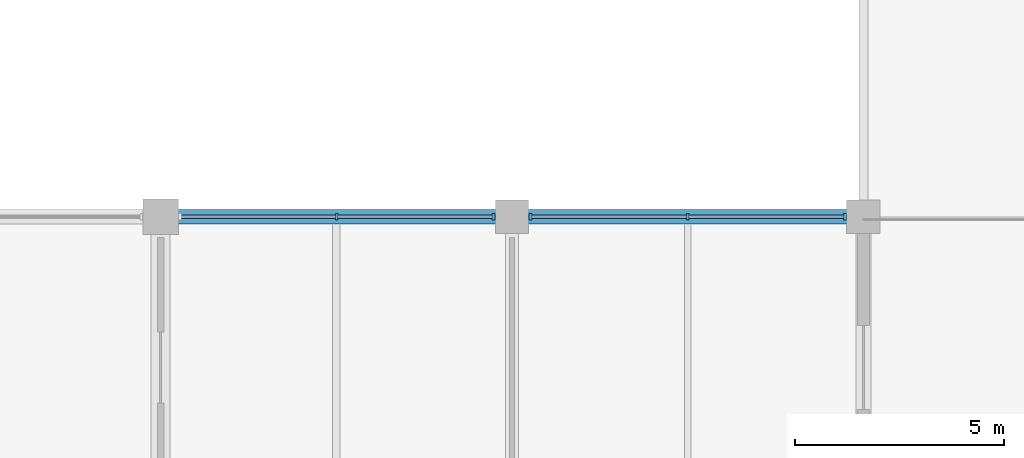
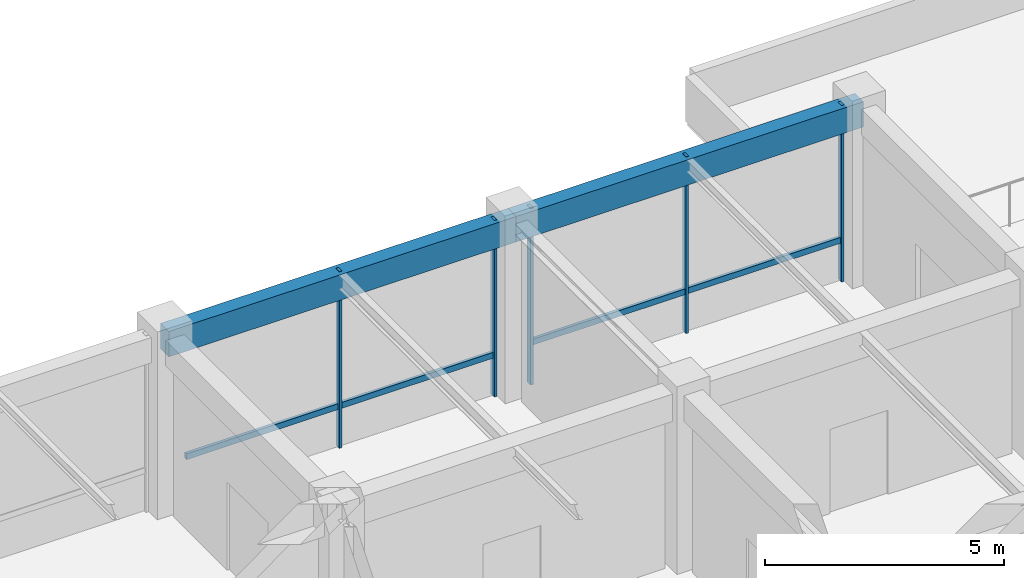
# One storey, part 35 of 45: 9 members, 2 beams, 2 elements without a shape of their own.
"""IFC4 building model written with IfcOpenShell, lengths in metres."""

from ifc_helpers import new_model, si_unit, derived_unit, direction, frame, origin, origin_2d, place, context, subcontext, project, spatial, rectangle, extrude, material, material_profile, profile_set, type_object, element, aggregate, save


model = new_model("IFC4")

# Units and contexts
model_context = context("Model", 3, precision=1e-05, world=origin(), true_north=direction((0.0, 1.0)))
body_context = subcontext(model_context, "Body", "Model", "MODEL_VIEW")
ifc_project = project(units=[si_unit("LENGTHUNIT", "METRE"), si_unit("AREAUNIT", "SQUARE_METRE"), si_unit("VOLUMEUNIT", "CUBIC_METRE"), si_unit("PLANEANGLEUNIT", "RADIAN"), si_unit("MASSUNIT", "GRAM", prefix="KILO"), derived_unit("THERMALTRANSMITTANCEUNIT", [(si_unit("MASSUNIT", "GRAM", prefix="KILO"), 1), (si_unit("TIMEUNIT", "SECOND"), -3), (si_unit("THERMODYNAMICTEMPERATUREUNIT", "KELVIN"), -1)])], contexts=[model_context])

# Site, building, storey
site_placement = place(None, origin())
site = spatial("IfcSite", under=ifc_project, at=site_placement, CompositionType="ELEMENT")
building_placement = place(site_placement, origin())
building = spatial("IfcBuilding", under=site, at=building_placement, Name="Veldstrom Oceanarium and Marine Research Institute", CompositionType="ELEMENT")
storey_placement = place(building_placement, frame((0.0, 0.0, 22.199951171875)))
storey = spatial("IfcBuildingStorey", under=building, at=storey_placement, Name="L04", CompositionType="ELEMENT", Elevation=22.199951171875)

# Curtain wall, members
ifc_material_1 = material(Name="Anodised Aluminium Framing", Category="aluminium")
curtain_wall_type = type_object("IfcCurtainWallType", Name="ARC-CW-CW03", PredefinedType="USERDEFINED", material=ifc_material_1)
curtain_wall_1_placement = place(storey_placement, origin())
curtain_wall_1 = element("IfcCurtainWall", 1, at=curtain_wall_1_placement, inside=storey, type_object=curtain_wall_type, Name="Curtain Wall CW03 CW-L04-087", ObjectType="Curtain wall", PredefinedType="USERDEFINED")
ifc_material_2 = material(Name="Anodised Aluminium Framing", Category="aluminium")
ifc_material_profile_1 = material_profile(ifc_material_2, rectangle(XDim=0.06494140625, YDim=0.14990234375, at=origin_2d()), Name="ALU-MUL-65x150")
ifc_profile_set_1 = profile_set([ifc_material_profile_1], Name="Anodised Aluminium Framing")
member_type_1 = type_object("IfcMemberType", Name="ARC-MUL-ML2", PredefinedType="MULLION", material=ifc_profile_set_1)
member_1_placement = place(storey_placement, frame((105.012451171875, 72.0, 0.0), z_axis=(0.0, 0.0, 1.0), x_axis=(1.0, 0.0, 0.0)))
member_1 = element("IfcMember", 2, at=member_1_placement, type_object=member_type_1, Name="Curtain Wall Mullion CW-L04-087-MUL-2", PredefinedType="MULLION", context=body_context, shape_type="SweptSolid", body=[
    extrude(rectangle(XDim=0.06494140625, YDim=0.14990234375, at=origin_2d()), origin(), (0.0, 0.0, 1.0), 4.52001953125),
])
member_2_placement = place(storey_placement, frame((108.760009765625, 72.0, 0.0), z_axis=(0.0, 0.0, 1.0), x_axis=(1.0, 0.0, 0.0)))
member_2 = element("IfcMember", 3, at=member_2_placement, type_object=member_type_1, Name="Curtain Wall Mullion CW-L04-087-MUL-3", PredefinedType="MULLION", context=body_context, shape_type="SweptSolid", body=[
    extrude(rectangle(XDim=0.06494140625, YDim=0.14990234375, at=origin_2d()), origin(), (0.0, 0.0, 1.0), 4.52001953125),
])

curtain_wall_2_placement = place(storey_placement, origin())
curtain_wall_2 = element("IfcCurtainWall", 4, at=curtain_wall_2_placement, inside=storey, type_object=curtain_wall_type, Name="Curtain Wall CW03 CW-L04-089", ObjectType="Curtain wall", PredefinedType="USERDEFINED")
member_3_placement = place(storey_placement, frame((109.639892578125, 72.0, 0.0), z_axis=(0.0, 0.0, 1.0), x_axis=(1.0, 0.0, 0.0)))
member_3 = element("IfcMember", 5, at=member_3_placement, type_object=member_type_1, Name="Curtain Wall Mullion CW-L04-089-MUL-1", PredefinedType="MULLION", context=body_context, shape_type="SweptSolid", body=[
    extrude(rectangle(XDim=0.06494140625, YDim=0.14990234375, at=origin_2d()), origin(), (0.0, 0.0, 1.0), 4.52001953125),
])
member_4_placement = place(storey_placement, frame((113.39990234375, 72.0, 0.0), z_axis=(0.0, 0.0, 1.0), x_axis=(1.0, 0.0, 0.0)))
member_4 = element("IfcMember", 6, at=member_4_placement, type_object=member_type_1, Name="Curtain Wall Mullion CW-L04-089-MUL-2", PredefinedType="MULLION", context=body_context, shape_type="SweptSolid", body=[
    extrude(rectangle(XDim=0.06494140625, YDim=0.14990234375, at=origin_2d()), origin(), (0.0, 0.0, 1.0), 4.52001953125),
])
member_5_placement = place(storey_placement, frame((117.159912109375, 72.0, 0.0), z_axis=(0.0, 0.0, 1.0), x_axis=(1.0, 0.0, 0.0)))
member_5 = element("IfcMember", 7, at=member_5_placement, type_object=member_type_1, Name="Curtain Wall Mullion CW-L04-089-MUL-3", PredefinedType="MULLION", context=body_context, shape_type="SweptSolid", body=[
    extrude(rectangle(XDim=0.06494140625, YDim=0.14990234375, at=origin_2d()), origin(), (0.0, 0.0, 1.0), 4.52001953125),
])

# Member
ifc_material_3 = material(Name="Anodised Aluminium Framing", Category="aluminium")
ifc_material_profile_2 = material_profile(ifc_material_3, rectangle(XDim=0.074951171875, YDim=0.14990234375, at=origin_2d()), Name="ALU-TRN-75x150")
ifc_profile_set_2 = profile_set([ifc_material_profile_2], Name="Anodised Aluminium Framing")
member_type_2 = type_object("IfcMemberType", Name="ARC-TRN-TR1", PredefinedType="USERDEFINED", material=ifc_profile_set_2)
member_6_placement = place(storey_placement, frame((101.304931640625, 72.0, 1.050048828125), z_axis=(1.0, 0.0, 0.0), x_axis=(0.0, 1.0, 0.0)))
member_6 = element("IfcMember", 8, at=member_6_placement, type_object=member_type_2, Name="Curtain Wall Transom CW-L04-087-TRN-1", ObjectType="Transom", PredefinedType="USERDEFINED", context=body_context, shape_type="SweptSolid", body=[
    extrude(rectangle(XDim=0.074951171875, YDim=0.14990234375, at=origin_2d()), origin(), (0.0, 0.0, 1.0), 3.66748046875),
])

member_7_placement = place(storey_placement, frame((105.052490234375, 72.0, 1.050048828125), z_axis=(1.0, 0.0, 0.0), x_axis=(0.0, 1.0, 0.0)))
member_7 = element("IfcMember", 9, at=member_7_placement, type_object=member_type_2, Name="Curtain Wall Transom CW-L04-087-TRN-2", ObjectType="Transom", PredefinedType="USERDEFINED", context=body_context, shape_type="SweptSolid", body=[
    extrude(rectangle(XDim=0.074951171875, YDim=0.14990234375, at=origin_2d()), origin(), (0.0, 0.0, 1.0), 3.66748046875),
])

aggregate(curtain_wall_1, [member_1, member_2, member_6, member_7])

member_8_placement = place(storey_placement, frame((109.679931640625, 72.0, 1.050048828125), z_axis=(1.0, 0.0, 0.0), x_axis=(0.0, 1.0, 0.0)))
member_8 = element("IfcMember", 10, at=member_8_placement, type_object=member_type_2, Name="Curtain Wall Transom CW-L04-089-TRN-1", ObjectType="Transom", PredefinedType="USERDEFINED", context=body_context, shape_type="SweptSolid", body=[
    extrude(rectangle(XDim=0.074951171875, YDim=0.14990234375, at=origin_2d()), origin(), (0.0, 0.0, 1.0), 3.68017578125),
])

member_9_placement = place(storey_placement, frame((113.43994140625, 72.0, 1.050048828125), z_axis=(1.0, 0.0, 0.0), x_axis=(0.0, 1.0, 0.0)))
member_9 = element("IfcMember", 11, at=member_9_placement, type_object=member_type_2, Name="Curtain Wall Transom CW-L04-089-TRN-2", ObjectType="Transom", PredefinedType="USERDEFINED", context=body_context, shape_type="SweptSolid", body=[
    extrude(rectangle(XDim=0.074951171875, YDim=0.14990234375, at=origin_2d()), origin(), (0.0, 0.0, 1.0), 3.68017578125),
])

aggregate(curtain_wall_2, [member_3, member_4, member_5, member_8, member_9])

# Beams
ifc_material_4 = material(Name="Concrete C40/50", Category="concrete")
ifc_material_profile_3 = material_profile(ifc_material_4, rectangle(XDim=0.35009765625, YDim=0.64990234375, at=origin_2d()), Name="RC-SPN-350x650")
ifc_profile_set_3 = profile_set([ifc_material_profile_3], Name="Concrete C40/50")
beam_type = type_object("IfcBeamType", Name="STR-SPN-SP1", PredefinedType="SPANDREL", material=ifc_profile_set_3)
beam_1_placement = place(storey_placement, frame((100.800048828125, 72.0, 4.18994140625), z_axis=(1.0, 0.0, 0.0), x_axis=(0.0, 1.0, 0.0)))
element("IfcBeam", 12, at=beam_1_placement, inside=storey, type_object=beam_type, Name="Perimeter Spandrel SPB1 L04-2119", PredefinedType="SPANDREL", context=body_context, shape_type="SweptSolid", body=[
    extrude(rectangle(XDim=0.35009765625, YDim=0.64990234375, at=origin_2d()), origin(), (0.0, 0.0, 1.0), 8.39990234375),
])
beam_2_placement = place(storey_placement, frame((109.199951171875, 72.0, 4.18994140625), z_axis=(1.0, 0.0, 0.0), x_axis=(0.0, 1.0, 0.0)))
element("IfcBeam", 13, at=beam_2_placement, inside=storey, type_object=beam_type, Name="Perimeter Spandrel SPB1 L04-2124", PredefinedType="SPANDREL", context=body_context, shape_type="SweptSolid", body=[
    extrude(rectangle(XDim=0.35009765625, YDim=0.64990234375, at=origin_2d()), origin(), (0.0, 0.0, 1.0), 8.400146484375),
])

save(model, "model.ifc")
